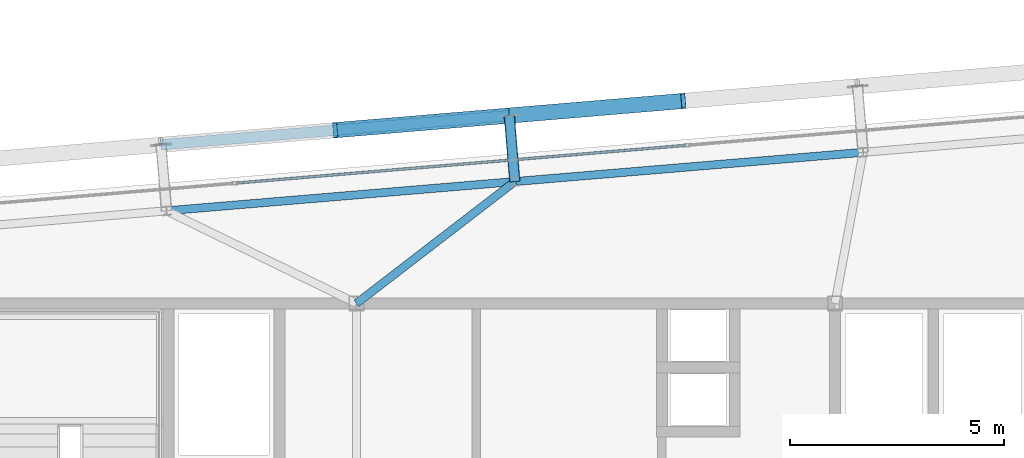
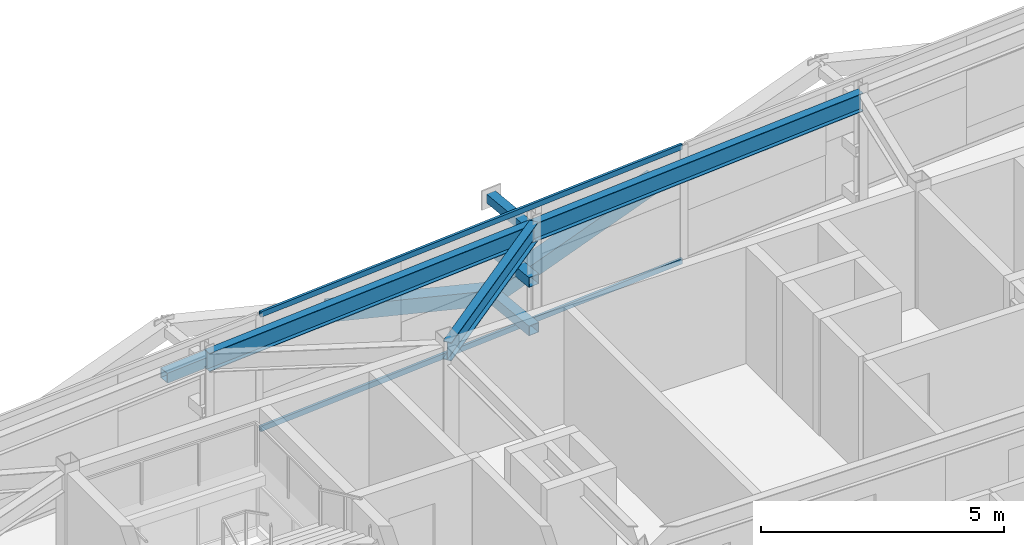
# One storey, part 22 of 37: 8 members, 3 beams, 1 element without a shape of its own.
"""IFC4 building model written with IfcOpenShell, lengths in metres."""

from ifc_helpers import new_model, si_unit, direction, frame, origin, origin_2d, place, context, subcontext, project, spatial, hollow_rectangle, i_section, extrude, source, transform, mapped, material, layer, layer_set, material_profile, profile_set, type_object, element, aggregate, save


model = new_model("IFC4")

# Units and contexts
model_context = context("Model", 3, precision=1e-05, world=origin(), true_north=direction((0.0, 1.0)))
body_context = subcontext(model_context, "Body", "Model", "MODEL_VIEW")
ifc_project = project(units=[si_unit("LENGTHUNIT", "METRE"), si_unit("AREAUNIT", "SQUARE_METRE"), si_unit("VOLUMEUNIT", "CUBIC_METRE"), si_unit("PLANEANGLEUNIT", "RADIAN"), si_unit("MASSUNIT", "GRAM", prefix="KILO")], contexts=[model_context])

# Site, building, storey
site_placement = place(None, origin())
site = spatial("IfcSite", under=ifc_project, at=site_placement, CompositionType="ELEMENT")
building_placement = place(site_placement, origin())
building = spatial("IfcBuilding", under=site, at=building_placement, Name="Taldren Reach Tower", CompositionType="ELEMENT")
storey_placement = place(building_placement, frame((0.0, 0.0, 172.550048828125)))
storey = spatial("IfcBuildingStorey", under=building, at=storey_placement, Name="L52", CompositionType="ELEMENT", Elevation=172.550048828125)

# Members
ifc_material_1 = material(Name="Steel Gr 350 (C350L0)", Category="steel")
ifc_material_profile_1 = material_profile(ifc_material_1, hollow_rectangle(XDim=0.25, YDim=0.25, WallThickness=0.010009765625, at=origin_2d()), Name="250x250x10.0SHS")
ifc_profile_set_1 = profile_set([ifc_material_profile_1], Name="Steel Gr 350 (C350L0)")
member_type_1 = type_object("IfcMemberType", Name="MB-POST250", PredefinedType="POST", material=ifc_profile_set_1)
shared_shape_1 = source(origin(), body_context, "Body", "SweptSolid", [
    extrude(hollow_rectangle(XDim=0.25, YDim=0.25, WallThickness=0.010009765625, at=origin_2d()), origin(), (0.0, 0.0, 1.0), 1.5498046875),
])
for number, where, z_axis, x_axis, name in (
    (1, (31.706298828125, 34.8525390625, 0.219970703125), (-0.083645141657, 0.996495604746, 0.0), (-0.996495604746, -0.083645141657, 0.0), "Exoskeleton base diaphragm tie strut B4-N3 L52"),
    (2, (31.706298828125, 34.8525390625, 1.43505859375), (-0.083645141657, 0.996495604746, 0.0), (-0.996495604746, -0.083645141657, 0.0), "Exoskeleton mid-tier diaphragm tie B4-N3 L52"),
):
    element("IfcMember", number, at=place(storey_placement, frame(where, z_axis=z_axis, x_axis=x_axis)), inside=storey, type_object=member_type_1, Name=name, PredefinedType="POST", context=body_context, shape_type="MappedRepresentation", body=[
        mapped(shared_shape_1, transform((0.0, 0.0, 0.0), scale=1.0)),
    ])

# Beams
ifc_material_2 = material(Name="Steel Gr 350 (350PLUS)", Category="steel")
ifc_material_profile_2 = material_profile(ifc_material_2, i_section(OverallWidth=0.18994140625, OverallDepth=0.4541015625, WebThickness=0.008544921875, FlangeThickness=0.0126953125, at=origin_2d()), Name="460UB67.1")
ifc_profile_set_2 = profile_set([ifc_material_profile_2], Name="Steel Gr 350 (350PLUS)")
beam_type_1 = type_object("IfcBeamType", Name="SP-UB460B", PredefinedType="SPANDREL", material=ifc_profile_set_2)
shared_shape_2 = source(origin(), body_context, "Body", "SweptSolid", [
    extrude(i_section(OverallWidth=0.18994140625, OverallDepth=0.4541015625, WebThickness=0.008544921875, FlangeThickness=0.0126953125, at=origin_2d()), origin(), (0.0, 0.0, 1.0), 8.18017578125),
])
beam_1_placement = place(storey_placement, frame((39.857666015625, 35.537109375, 2.702880859375), z_axis=(-0.996492034688, -0.083687662192, 0.0), x_axis=(0.083687662192, -0.996492034688, 0.0)))
element("IfcBeam", 3, at=beam_1_placement, inside=storey, type_object=beam_type_1, Name="Perimeter spandrel B4 N4-N3 L52", PredefinedType="SPANDREL", context=body_context, shape_type="MappedRepresentation", body=[
    mapped(shared_shape_2, transform((0.0, 0.0, 0.0), scale=1.0)),
])
shared_shape_3 = source(origin(), body_context, "Body", "SweptSolid", [
    extrude(i_section(OverallWidth=0.18994140625, OverallDepth=0.4541015625, WebThickness=0.008544921875, FlangeThickness=0.0126953125, at=origin_2d()), origin(), (0.0, 0.0, 1.0), 8.179931640625),
])
beam_2_placement = place(storey_placement, frame((31.706298828125, 34.8525390625, 2.702880859375), z_axis=(-0.99649182565, -0.08369015123, 0.0), x_axis=(0.08369015123, -0.99649182565, 0.0)))
element("IfcBeam", 4, at=beam_2_placement, inside=storey, type_object=beam_type_1, Name="Perimeter spandrel B4 N3-N2 L52", PredefinedType="SPANDREL", context=body_context, shape_type="MappedRepresentation", body=[
    mapped(shared_shape_3, transform((0.0, 0.0, 0.0), scale=1.0)),
])
ifc_material_profile_3 = material_profile(ifc_material_2, i_section(OverallWidth=0.19091796875, OverallDepth=0.4599609375, WebThickness=0.010009765625, FlangeThickness=0.01611328125, at=origin_2d()), Name="460UB82.1")
ifc_profile_set_3 = profile_set([ifc_material_profile_3], Name="Steel Gr 350 (350PLUS)")
beam_type_2 = type_object("IfcBeamType", Name="BM-UB460A", PredefinedType="BEAM", material=ifc_profile_set_3)
shared_shape_4 = source(origin(), body_context, "Body", "SweptSolid", [
    extrude(i_section(OverallWidth=0.19091796875, OverallDepth=0.4599609375, WebThickness=0.010009765625, FlangeThickness=0.01611328125, at=origin_2d()), origin(), (0.0, 0.0, 1.0), 4.677001953125),
])
beam_3_placement = place(storey_placement, frame((28.0, 32.0, 2.699951171875), z_axis=(0.792464836093, 0.609917603907, 0.0), x_axis=(-0.609917603907, 0.792464836093, 0.0)))
element("IfcBeam", 5, at=beam_3_placement, inside=storey, type_object=beam_type_2, Name="Primary floor girder B4-N3 L52", PredefinedType="BEAM", context=body_context, shape_type="MappedRepresentation", body=[
    mapped(shared_shape_4, transform((0.0, 0.0, 0.0), scale=1.0)),
])

# Members
ifc_material_3 = material(Name="Steel Gr 450 (C450L0)", Category="steel")
ifc_material_profile_4 = material_profile(ifc_material_3, hollow_rectangle(XDim=0.219970703125, YDim=0.219970703125, WallThickness=0.00830078125, at=origin_2d()), Name="220x220x8.2SHS")
ifc_profile_set_4 = profile_set([ifc_material_profile_4], Name="Steel Gr 450 (C450L0)")
member_type_2 = type_object("IfcMemberType", Name="MB-TIE219", PredefinedType="STRUT", material=ifc_profile_set_4)
shared_shape_5 = source(origin(), body_context, "Body", "SweptSolid", [
    extrude(hollow_rectangle(XDim=0.219970703125, YDim=0.219970703125, WallThickness=0.00830078125, at=origin_2d()), origin(), (0.0, 0.0, 1.0), 1.5498046875),
])
member_1_placement = place(storey_placement, frame((31.706298828125, 34.8525390625, 2.64990234375), z_axis=(-0.083645141657, 0.996495604746, 0.0), x_axis=(-0.996495604746, -0.083645141657, 0.0)))
element("IfcMember", 6, at=member_1_placement, inside=storey, type_object=member_type_2, Name="Exoskeleton diaphragm tie strut B4-N3 L52", PredefinedType="STRUT", context=body_context, shape_type="MappedRepresentation", body=[
    mapped(shared_shape_5, transform((0.0, 0.0, 0.0), scale=1.0)),
])
shared_shape_6 = source(origin(), body_context, "Body", "SweptSolid", [
    extrude(hollow_rectangle(XDim=0.25, YDim=0.25, WallThickness=0.010009765625, at=origin_2d()), origin(), (0.0, 0.0, 1.0), 8.179931640625),
])
member_2_placement = place(storey_placement, frame((23.42529296875, 35.712646484375, 1.43505859375), z_axis=(0.996494523218, 0.083658025296, 0.0), x_axis=(-0.083658025296, 0.996494523218, 0.0)))
element("IfcMember", 7, at=member_2_placement, inside=storey, type_object=member_type_1, Name="Exoskeleton mid-height ring chord B4-N2 L52", PredefinedType="POST", context=body_context, shape_type="MappedRepresentation", body=[
    mapped(shared_shape_6, transform((0.0, 0.0, 0.0), scale=1.0)),
])
ifc_material_profile_5 = material_profile(ifc_material_3, hollow_rectangle(XDim=0.360107421875, YDim=0.360107421875, WallThickness=0.0126953125, at=origin_2d()), Name="360x360x12.7SHS")
ifc_profile_set_5 = profile_set([ifc_material_profile_5], Name="Steel Gr 450 (C450L0)")
member_type_3 = type_object("IfcMemberType", Name="MB-EXO356", PredefinedType="BRACE", material=ifc_profile_set_5)
shared_shape_7 = source(origin(), body_context, "Body", "SweptSolid", [
    extrude(hollow_rectangle(XDim=0.360107421875, YDim=0.360107421875, WallThickness=0.0126953125, at=origin_2d()), origin(), (0.0, 0.0, 1.0), 4.2666015625),
])
for number, where, z_axis, x_axis, name in (
    (8, (31.57666015625, 36.39697265625, 0.219970703125), (-0.955233542365, -0.080165460216, 0.28478479336), (0.083628388178, -0.996497010879, 0.0), "Exoskeleton Diagrid Brace B4-N2 L52"),
    (9, (31.57666015625, 36.39697265625, 0.219970703125), (0.955229159097, 0.080222312271, 0.284783486572), (-0.083687662192, 0.996492034688, 0.0), "Exoskeleton Diagrid Brace B4-N3 L52"),
):
    element("IfcMember", number, at=place(storey_placement, frame(where, z_axis=z_axis, x_axis=x_axis)), inside=storey, type_object=member_type_3, Name=name, PredefinedType="BRACE", context=body_context, shape_type="MappedRepresentation", body=[
        mapped(shared_shape_7, transform((0.0, 0.0, 0.0), scale=1.0)),
    ])

# Curtain wall, members
ifc_material_4 = material(Name="Aluminium and Low-E Glass Unitised System", Category="aluminium")
ifc_layer = layer(ifc_material_4, 0.159912109375)
ifc_layer_set = layer_set([ifc_layer], Name="Aluminium and Low-E Glass Unitised System")
curtain_wall_type = type_object("IfcCurtainWallType", Name="CW-SYS-5", PredefinedType="NOTDEFINED", material=ifc_layer_set)
curtain_wall_placement = place(storey_placement, origin())
curtain_wall = element("IfcCurtainWall", 10, at=curtain_wall_placement, inside=storey, type_object=curtain_wall_type, Name="Unitised curtain wall CW-L52-N", PredefinedType="NOTDEFINED")
ifc_material_5 = material(Name="Anodised Aluminium 6063-T6", Category="aluminium")
ifc_material_profile_6 = material_profile(ifc_material_5, hollow_rectangle(XDim=0.06005859375, YDim=0.135009765625, WallThickness=0.00341796875, at=origin_2d()), Name="ALU-135x60x3.5RHS")
ifc_profile_set_6 = profile_set([ifc_material_profile_6], Name="Anodised Aluminium 6063-T6")
member_type_4 = type_object("IfcMemberType", Name="CW-TRN-150", PredefinedType="USERDEFINED", material=ifc_profile_set_6)
shared_shape_8 = source(origin(), body_context, "Body", "SweptSolid", [
    extrude(hollow_rectangle(XDim=0.06005859375, YDim=0.135009765625, WallThickness=0.00341796875, at=origin_2d()), origin(), (0.0, 0.0, 1.0), 10.55517578125),
])
member_3_placement = place(storey_placement, frame((35.70458984375, 35.699951171875, 0.030029296875), z_axis=(-0.996494202684, -0.083661843255, 0.0), x_axis=(0.083661843255, -0.996494202684, 0.0)))
member_3 = element("IfcMember", 11, at=member_3_placement, type_object=member_type_4, Name="CW-5 transom 3.1", ObjectType="TRANSOM", PredefinedType="USERDEFINED", context=body_context, shape_type="MappedRepresentation", body=[
    mapped(shared_shape_8, transform((0.0, 0.0, 0.0), scale=1.0)),
])
member_4_placement = place(storey_placement, frame((35.70458984375, 35.699951171875, 2.89990234375), z_axis=(-0.996494202684, -0.083661843255, 0.0), x_axis=(0.083661843255, -0.996494202684, 0.0)))
member_4 = element("IfcMember", 12, at=member_4_placement, type_object=member_type_4, Name="CW-5 transom 3.2", ObjectType="TRANSOM", PredefinedType="USERDEFINED", context=body_context, shape_type="MappedRepresentation", body=[
    mapped(shared_shape_8, transform((0.0, 0.0, 0.0), scale=1.0)),
])
aggregate(curtain_wall, [member_3, member_4])

save(model, "model.ifc")
